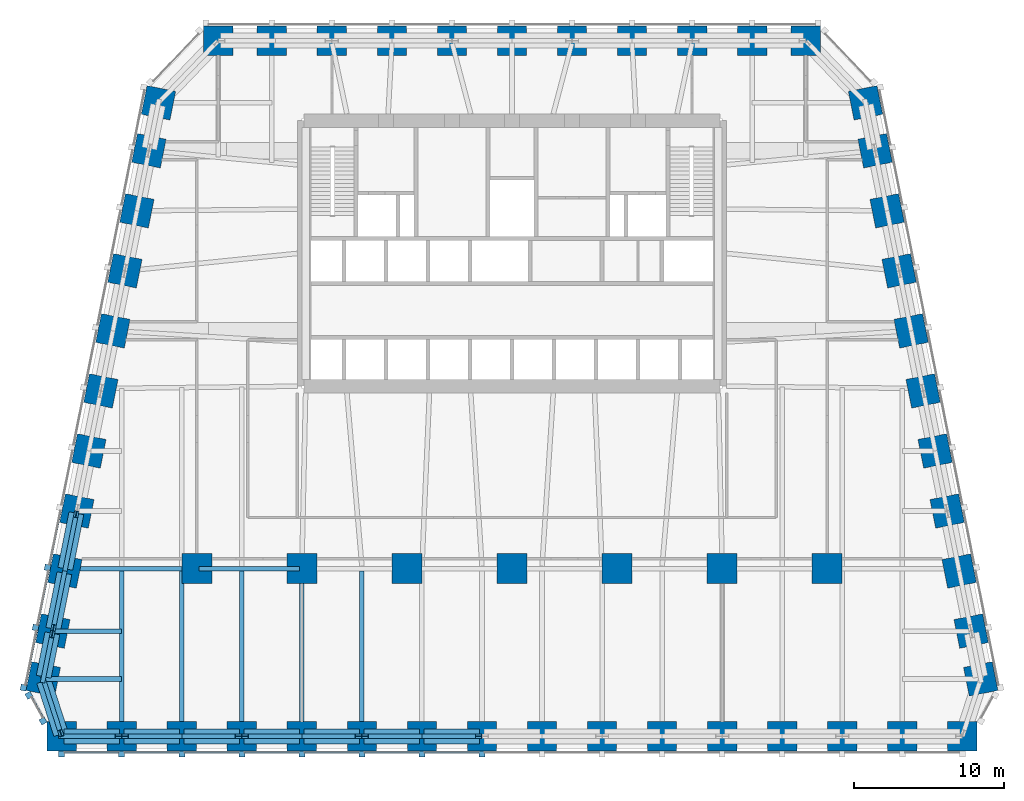
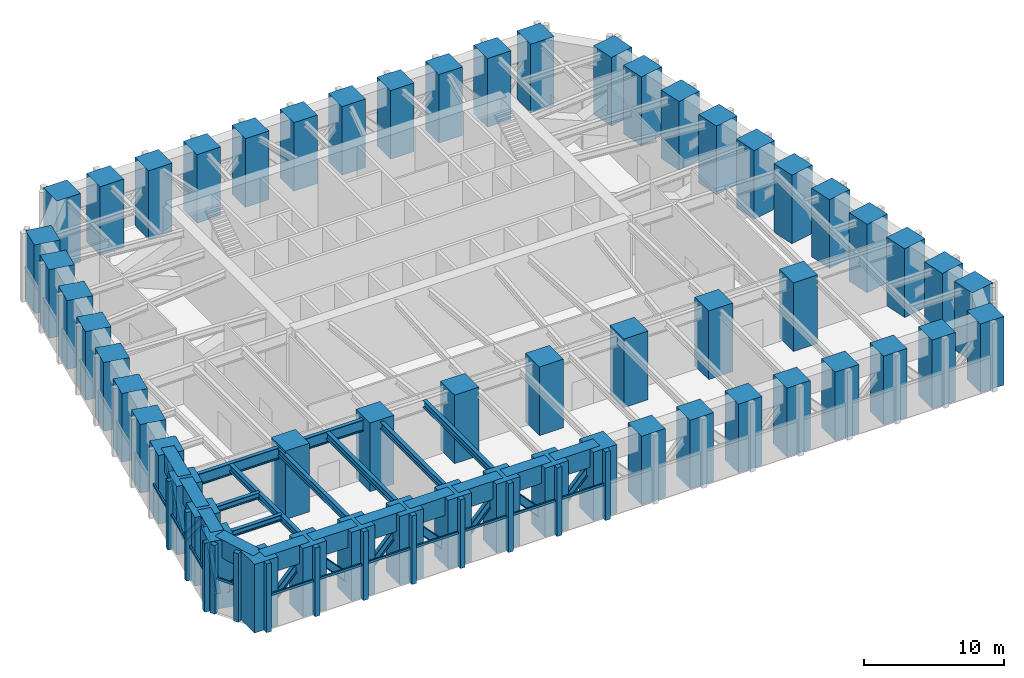
# One storey, part 1 of 9: 56 columns, 35 members, 20 beams, 3 elements without a shape of their own.
"""IFC4 building model written with IfcOpenShell, lengths in metres."""

from ifc_helpers import new_model, si_unit, direction, frame, origin, origin_2d, place, context, subcontext, project, spatial, rectangle, i_section, extrude, material, material_profile, profile_set, type_object, element, aggregate, save


model = new_model("IFC4")

# Units and contexts
model_context = context("Model", 3, precision=1e-05, world=origin(), true_north=direction((0.0, 1.0)))
body_context = subcontext(model_context, "Body", "Model", "MODEL_VIEW")
ifc_project = project(units=[si_unit("LENGTHUNIT", "METRE"), si_unit("AREAUNIT", "SQUARE_METRE"), si_unit("VOLUMEUNIT", "CUBIC_METRE"), si_unit("PLANEANGLEUNIT", "RADIAN"), si_unit("MASSUNIT", "GRAM", prefix="KILO")], contexts=[model_context])

# Site, building, storey
site_placement = place(None, origin())
site = spatial("IfcSite", under=ifc_project, at=site_placement, CompositionType="ELEMENT")
building_placement = place(site_placement, origin())
building = spatial("IfcBuilding", under=site, at=building_placement, Name="Isbrekke Arena Tower", CompositionType="ELEMENT")
storey_placement = place(building_placement, frame((0.0, 0.0, 92.0)))
storey = spatial("IfcBuildingStorey", under=building, at=storey_placement, Name="L20", CompositionType="ELEMENT", Elevation=92.0)

# Columns
ifc_material_1 = material(Name="Concrete B90 (C90/105)", Category="concrete")
ifc_material_profile_1 = material_profile(ifc_material_1, rectangle(XDim=2.0, YDim=2.0, at=origin_2d()), Name="RC 2000x2000")
ifc_profile_set_1 = profile_set([ifc_material_profile_1], Name="Concrete B90 (C90/105)")
column_type_1 = type_object("IfcColumnType", Name="C11 RC 2000 x 2000", PredefinedType="COLUMN", material=ifc_profile_set_1)
for number, where, z_axis, x_axis, name in (
    (1, (-21.0, -6.0, 0.0), (0.0, 0.0, 1.0), (1.0, 0.0, 0.0), "C11 I01"),
    (2, (-14.0, -6.0, 0.0), (0.0, 0.0, 1.0), (1.0, 0.0, 0.0), "C11 I02"),
    (3, (-7.0, -6.0, 0.0), (0.0, 0.0, 1.0), (1.0, 0.0, 0.0), "C11 I03"),
    (4, (0.0, -6.0, 0.0), (0.0, 0.0, 1.0), (1.0, 0.0, 0.0), "C11 I04"),
    (5, (7.0, -6.0, 0.0), (0.0, 0.0, 1.0), (1.0, 0.0, 0.0), "C11 I05"),
    (6, (14.0, -6.0, 0.0), (0.0, 0.0, 1.0), (1.0, 0.0, 0.0), "C11 I06"),
    (7, (21.0, -6.0, 0.0), (0.0, 0.0, 1.0), (1.0, 0.0, 0.0), "C11 I07"),
):
    element("IfcColumn", number, at=place(storey_placement, frame(where, z_axis=z_axis, x_axis=x_axis)), inside=storey, type_object=column_type_1, Name=name, PredefinedType="COLUMN", context=body_context, shape_type="SweptSolid", body=[
        extrude(rectangle(XDim=2.0, YDim=2.0, at=origin_2d()), origin(), (0.0, 0.0, 1.0), 6.0),
    ])
ifc_material_2 = material(Name="Concrete B90 (C90/105)", Category="concrete")
ifc_material_profile_2 = material_profile(ifc_material_2, rectangle(XDim=1.949951171875, YDim=1.949951171875, at=origin_2d()), Name="RC 1950x1950")
ifc_profile_set_2 = profile_set([ifc_material_profile_2], Name="Concrete B90 (C90/105)")
column_type_2 = type_object("IfcColumnType", Name="C2 RC 1950 x 1950", PredefinedType="COLUMN", material=ifc_profile_set_2)
for number, where, z_axis, x_axis, name in (
    (8, (-30.0, -17.175048828125, 0.0), (0.0, 0.0, 1.0), (1.0, 0.0, 0.0), "C2 S01"),
    (9, (-26.0, -17.175048828125, 0.0), (0.0, 0.0, 1.0), (1.0, 0.0, 0.0), "C2 S02"),
    (10, (-22.0, -17.175048828125, 0.0), (0.0, 0.0, 1.0), (1.0, 0.0, 0.0), "C2 S03"),
    (11, (-18.0, -17.175048828125, 0.0), (0.0, 0.0, 1.0), (1.0, 0.0, 0.0), "C2 S04"),
    (12, (-14.0, -17.175048828125, 0.0), (0.0, 0.0, 1.0), (1.0, 0.0, 0.0), "C2 S05"),
    (13, (-10.0, -17.175048828125, 0.0), (0.0, 0.0, 1.0), (1.0, 0.0, 0.0), "C2 S06"),
    (14, (-6.0, -17.175048828125, 0.0), (0.0, 0.0, 1.0), (1.0, 0.0, 0.0), "C2 S07"),
    (15, (-2.0, -17.175048828125, 0.0), (0.0, 0.0, 1.0), (1.0, 0.0, 0.0), "C2 S08"),
    (16, (2.0, -17.175048828125, 0.0), (0.0, 0.0, 1.0), (1.0, 0.0, 0.0), "C2 S09"),
    (17, (6.0, -17.175048828125, 0.0), (0.0, 0.0, 1.0), (1.0, 0.0, 0.0), "C2 S10"),
    (18, (10.0, -17.175048828125, 0.0), (0.0, 0.0, 1.0), (1.0, 0.0, 0.0), "C2 S11"),
    (19, (14.0, -17.175048828125, 0.0), (0.0, 0.0, 1.0), (1.0, 0.0, 0.0), "C2 S12"),
    (20, (18.0, -17.175048828125, 0.0), (0.0, 0.0, 1.0), (1.0, 0.0, 0.0), "C2 S13"),
    (21, (22.0, -17.175048828125, 0.0), (0.0, 0.0, 1.0), (1.0, 0.0, 0.0), "C2 S14"),
    (22, (26.0, -17.175048828125, 0.0), (0.0, 0.0, 1.0), (1.0, 0.0, 0.0), "C2 S15"),
    (23, (30.0, -17.175048828125, 0.0), (0.0, 0.0, 1.0), (1.0, 0.0, 0.0), "C2 S16"),
    (24, (31.229248046875, -13.352783203125, 0.0), (0.0, 0.0, 1.0), (-0.196116135138, 0.980580675691, 0.0), "C2 E01"),
    (25, (30.591064453125, -10.161865234375, 0.0), (0.0, 0.0, 1.0), (-0.196116135138, 0.980580675691, 0.0), "C2 E02"),
    (26, (29.791015625, -6.161865234375, 0.0), (0.0, 0.0, 1.0), (-0.196116135138, 0.980580675691, 0.0), "C2 E03"),
    (27, (28.990966796875, -2.161865234375, 0.0), (0.0, 0.0, 1.0), (-0.196116135138, 0.980580675691, 0.0), "C2 E04"),
    (28, (28.19091796875, 1.838134765625, 0.0), (0.0, 0.0, 1.0), (-0.196116135138, 0.980580675691, 0.0), "C2 E05"),
    (29, (27.39111328125, 5.838134765625, 0.0), (0.0, 0.0, 1.0), (-0.196116135138, 0.980580675691, 0.0), "C2 E06"),
    (30, (26.591064453125, 9.838134765625, 0.0), (0.0, 0.0, 1.0), (-0.196116135138, 0.980580675691, 0.0), "C2 E07"),
    (31, (25.791015625, 13.838134765625, 0.0), (0.0, 0.0, 1.0), (-0.196116135138, 0.980580675691, 0.0), "C2 E08"),
    (32, (24.990966796875, 17.838134765625, 0.0), (0.0, 0.0, 1.0), (-0.196116135138, 0.980580675691, 0.0), "C2 E09"),
    (33, (24.19091796875, 21.838134765625, 0.0), (0.0, 0.0, 1.0), (-0.196116135138, 0.980580675691, 0.0), "C2 E10"),
    (34, (23.552734375, 25.029296875, 0.0), (0.0, 0.0, 1.0), (-0.196116135138, 0.980580675691, 0.0), "C2 E11"),
    (35, (19.574951171875, 29.175048828125, 0.0), (0.0, 0.0, 1.0), (-1.0, 0.0, 0.0), "C2 N01"),
    (36, (16.0, 29.175048828125, 0.0), (0.0, 0.0, 1.0), (-1.0, 0.0, 0.0), "C2 N02"),
    (37, (12.0, 29.175048828125, 0.0), (0.0, 0.0, 1.0), (-1.0, 0.0, 0.0), "C2 N03"),
    (38, (8.0, 29.175048828125, 0.0), (0.0, 0.0, 1.0), (-1.0, 0.0, 0.0), "C2 N04"),
    (39, (4.0, 29.175048828125, 0.0), (0.0, 0.0, 1.0), (-1.0, 0.0, 0.0), "C2 N05"),
    (40, (0.0, 29.175048828125, 0.0), (0.0, 0.0, 1.0), (-1.0, 0.0, 0.0), "C2 N06"),
    (41, (-4.0, 29.175048828125, 0.0), (0.0, 0.0, 1.0), (-1.0, 0.0, 0.0), "C2 N07"),
    (42, (-8.0, 29.175048828125, 0.0), (0.0, 0.0, 1.0), (-1.0, 0.0, 0.0), "C2 N08"),
    (43, (-12.0, 29.175048828125, 0.0), (0.0, 0.0, 1.0), (-1.0, 0.0, 0.0), "C2 N09"),
    (44, (-16.0, 29.175048828125, 0.0), (0.0, 0.0, 1.0), (-1.0, 0.0, 0.0), "C2 N10"),
    (45, (-19.574951171875, 29.175048828125, 0.0), (0.0, 0.0, 1.0), (-1.0, 0.0, 0.0), "C2 N11"),
    (46, (-23.552734375, 25.029296875, 0.0), (0.0, 0.0, 1.0), (-0.196116135138, -0.980580675691, 0.0), "C2 W01"),
    (47, (-24.19091796875, 21.838134765625, 0.0), (0.0, 0.0, 1.0), (-0.196116135138, -0.980580675691, 0.0), "C2 W02"),
    (48, (-24.990966796875, 17.838134765625, 0.0), (0.0, 0.0, 1.0), (-0.196116135138, -0.980580675691, 0.0), "C2 W03"),
    (49, (-25.791015625, 13.838134765625, 0.0), (0.0, 0.0, 1.0), (-0.196116135138, -0.980580675691, 0.0), "C2 W04"),
    (50, (-26.591064453125, 9.838134765625, 0.0), (0.0, 0.0, 1.0), (-0.196116135138, -0.980580675691, 0.0), "C2 W05"),
    (51, (-27.39111328125, 5.838134765625, 0.0), (0.0, 0.0, 1.0), (-0.196116135138, -0.980580675691, 0.0), "C2 W06"),
    (52, (-28.19091796875, 1.838134765625, 0.0), (0.0, 0.0, 1.0), (-0.196116135138, -0.980580675691, 0.0), "C2 W07"),
    (53, (-28.990966796875, -2.161865234375, 0.0), (0.0, 0.0, 1.0), (-0.196116135138, -0.980580675691, 0.0), "C2 W08"),
    (54, (-29.791015625, -6.161865234375, 0.0), (0.0, 0.0, 1.0), (-0.196116135138, -0.980580675691, 0.0), "C2 W09"),
    (55, (-30.591064453125, -10.161865234375, 0.0), (0.0, 0.0, 1.0), (-0.196116135138, -0.980580675691, 0.0), "C2 W10"),
    (56, (-31.229248046875, -13.352783203125, 0.0), (0.0, 0.0, 1.0), (-0.196116135138, -0.980580675691, 0.0), "C2 W11"),
):
    element("IfcColumn", number, at=place(storey_placement, frame(where, z_axis=z_axis, x_axis=x_axis)), inside=storey, type_object=column_type_2, Name=name, PredefinedType="COLUMN", context=body_context, shape_type="SweptSolid", body=[
        extrude(rectangle(XDim=1.949951171875, YDim=1.949951171875, at=origin_2d()), origin(), (0.0, 0.0, 1.0), 6.0),
    ])

# Beams
ifc_material_3 = material(Name="Steel S355", Category="steel")
ifc_material_profile_3 = material_profile(ifc_material_3, i_section(OverallWidth=0.304931640625, OverallDepth=0.6201171875, WebThickness=0.02099609375, FlangeThickness=0.0400390625, FilletRadius=0.027099609375, at=origin_2d()), Name="HEM 600")
ifc_profile_set_3 = profile_set([ifc_material_profile_3], Name="Steel S355")
beam_type_1 = type_object("IfcBeamType", Name="B4 HEM 600", PredefinedType="BEAM", material=ifc_profile_set_3)
for number, where, z_axis, x_axis, name in (
    (57, (-26.0, -17.02490234375, 5.489990234375), (0.0, 1.0, 0.0), (-1.0, 0.0, 0.0), "B4 beam S-S02 L20"),
    (58, (-22.0, -17.02490234375, 5.489990234375), (0.0, 1.0, 0.0), (-1.0, 0.0, 0.0), "B4 beam S-S03 L20"),
    (59, (-18.0, -17.02490234375, 5.489990234375), (0.0, 1.0, 0.0), (-1.0, 0.0, 0.0), "B4 beam S-S04 L20"),
):
    element("IfcBeam", number, at=place(storey_placement, frame(where, z_axis=z_axis, x_axis=x_axis)), inside=storey, type_object=beam_type_1, Name=name, PredefinedType="BEAM", context=body_context, shape_type="SweptSolid", body=[
        extrude(i_section(OverallWidth=0.304931640625, OverallDepth=0.6201171875, WebThickness=0.02099609375, FlangeThickness=0.0400390625, FilletRadius=0.027099609375, at=origin_2d()), origin(), (0.0, 0.0, 1.0), 10.8740234375),
    ])
beam_1_placement = place(storey_placement, frame((-14.0, -17.02490234375, 5.489990234375), z_axis=(0.0, 1.0, 0.0), x_axis=(-1.0, 0.0, 0.0)))
element("IfcBeam", 60, at=beam_1_placement, inside=storey, type_object=beam_type_1, Name="B4 beam S-S05 L20", PredefinedType="BEAM", context=body_context, shape_type="SweptSolid", body=[
    extrude(i_section(OverallWidth=0.304931640625, OverallDepth=0.6201171875, WebThickness=0.02099609375, FlangeThickness=0.0400390625, FilletRadius=0.027099609375, at=origin_2d()), origin(), (0.0, 0.0, 1.0), 10.875),
])
beam_2_placement = place(storey_placement, frame((-10.0, -17.02490234375, 5.489990234375), z_axis=(0.0, 1.0, 0.0), x_axis=(-1.0, 0.0, 0.0)))
element("IfcBeam", 61, at=beam_2_placement, inside=storey, type_object=beam_type_1, Name="B4 beam S-S06 L20", PredefinedType="BEAM", context=body_context, shape_type="SweptSolid", body=[
    extrude(i_section(OverallWidth=0.304931640625, OverallDepth=0.6201171875, WebThickness=0.02099609375, FlangeThickness=0.0400390625, FilletRadius=0.027099609375, at=origin_2d()), origin(), (0.0, 0.0, 1.0), 10.8740234375),
])
ifc_material_4 = material(Name="Steel S355", Category="steel")
ifc_material_profile_4 = material_profile(ifc_material_4, i_section(OverallWidth=0.305908203125, OverallDepth=0.52392578125, WebThickness=0.02099609375, FlangeThickness=0.0400390625, FilletRadius=0.027099609375, at=origin_2d()), Name="HEM 500")
ifc_profile_set_4 = profile_set([ifc_material_profile_4], Name="Steel S355")
beam_type_2 = type_object("IfcBeamType", Name="B5 HEM 500", PredefinedType="BEAM", material=ifc_profile_set_4)
beam_3_placement = place(storey_placement, frame((-30.44091796875, -10.161865234375, 5.5380859375), z_axis=(1.0, 0.0, 0.0), x_axis=(0.0, 1.0, 0.0)))
element("IfcBeam", 62, at=beam_3_placement, inside=storey, type_object=beam_type_2, Name="B5 beam E-W10 L20", PredefinedType="BEAM", context=body_context, shape_type="SweptSolid", body=[
    extrude(i_section(OverallWidth=0.305908203125, OverallDepth=0.52392578125, WebThickness=0.02099609375, FlangeThickness=0.0400390625, FilletRadius=0.027099609375, at=origin_2d()), origin(), (0.0, 0.0, 1.0), 4.44091796875),
])
beam_4_placement = place(storey_placement, frame((-31.079345703125, -13.352783203125, 5.5380859375), z_axis=(1.0, 0.0, 0.0), x_axis=(0.0, 1.0, 0.0)))
element("IfcBeam", 63, at=beam_4_placement, inside=storey, type_object=beam_type_2, Name="B5 beam E-W11 L20", PredefinedType="BEAM", context=body_context, shape_type="SweptSolid", body=[
    extrude(i_section(OverallWidth=0.305908203125, OverallDepth=0.52392578125, WebThickness=0.02099609375, FlangeThickness=0.0400390625, FilletRadius=0.027099609375, at=origin_2d()), origin(), (0.0, 0.0, 1.0), 5.079345703125),
])

# Members
ifc_material_5 = material(Name="Steel S355", Category="steel")
ifc_material_profile_5 = material_profile(ifc_material_5, i_section(OverallWidth=0.304931640625, OverallDepth=0.6201171875, WebThickness=0.02099609375, FlangeThickness=0.0400390625, FilletRadius=0.027099609375, at=origin_2d()), Name="HEM 600")
ifc_profile_set_5 = profile_set([ifc_material_profile_5], Name="Steel S355")
member_type_1 = type_object("IfcMemberType", Name="BT1 HEM 600", PredefinedType="BRACE", material=ifc_profile_set_5)
for number, where, z_axis, x_axis, name in (
    (64, (-30.0, -17.175048828125, 0.60009765625), (0.681122032107, 0.0, 0.732169910183), (0.0, 1.0, 0.0), "BT1 belt truss diagonal S01 L20"),
    (65, (-25.781982421875, -17.175048828125, 4.66552734375), (0.681122032107, 0.0, -0.732169910183), (0.0, 1.0, 0.0), "BT1 belt truss diagonal S02 L20"),
    (66, (-22.0, -17.175048828125, 0.60009765625), (0.681122032107, 0.0, 0.732169910183), (0.0, 1.0, 0.0), "BT1 belt truss diagonal S03 L20"),
    (67, (-17.781982421875, -17.175048828125, 4.66552734375), (0.681122032107, 0.0, -0.732169910183), (0.0, 1.0, 0.0), "BT1 belt truss diagonal S04 L20"),
    (68, (-14.0, -17.175048828125, 0.60009765625), (0.681122032107, 0.0, 0.732169910183), (0.0, 1.0, 0.0), "BT1 belt truss diagonal S05 L20"),
    (69, (-9.781982421875, -17.175048828125, 4.66552734375), (0.681122032107, 0.0, -0.732169910183), (0.0, 1.0, 0.0), "BT1 belt truss diagonal S06 L20"),
    (70, (-6.0, -17.175048828125, 0.60009765625), (0.681122032107, 0.0, 0.732169910183), (0.0, 1.0, 0.0), "BT1 belt truss diagonal S07 L20"),
):
    element("IfcMember", number, at=place(storey_placement, frame(where, z_axis=z_axis, x_axis=x_axis)), inside=storey, type_object=member_type_1, Name=name, PredefinedType="BRACE", context=body_context, shape_type="SweptSolid", body=[
        extrude(i_section(OverallWidth=0.304931640625, OverallDepth=0.6201171875, WebThickness=0.02099609375, FlangeThickness=0.0400390625, FilletRadius=0.027099609375, at=origin_2d()), origin(), (0.0, 0.0, 1.0), 5.552490234375),
    ])
for number, where, z_axis, x_axis, name in (
    (71, (-29.033935546875, -2.37646484375, 4.66943359375), (-0.134973713861, -0.674868569303, -0.725489152734), (0.980580675691, -0.196116135138, 0.0), "BT1 belt truss diagonal W08 L20"),
    (72, (-29.791015625, -6.161865234375, 0.60009765625), (-0.134973713861, -0.674868569303, 0.725489152734), (0.980580675691, -0.196116135138, 0.0), "BT1 belt truss diagonal W09 L20"),
):
    element("IfcMember", number, at=place(storey_placement, frame(where, z_axis=z_axis, x_axis=x_axis)), inside=storey, type_object=member_type_1, Name=name, PredefinedType="BRACE", context=body_context, shape_type="SweptSolid", body=[
        extrude(i_section(OverallWidth=0.304931640625, OverallDepth=0.6201171875, WebThickness=0.02099609375, FlangeThickness=0.0400390625, FilletRadius=0.027099609375, at=origin_2d()), origin(), (0.0, 0.0, 1.0), 5.609130859375),
    ])
member_1_placement = place(storey_placement, frame((-30.63232421875, -10.3681640625, 4.6220703125), z_axis=(-0.118346606157, -0.591733030783, -0.79739958684), x_axis=(0.980580675691, -0.196116135138, 0.0)))
element("IfcMember", 73, at=member_1_placement, inside=storey, type_object=member_type_1, Name="BT1 belt truss diagonal W10 L20", PredefinedType="BRACE", context=body_context, shape_type="SweptSolid", body=[
    extrude(i_section(OverallWidth=0.304931640625, OverallDepth=0.6201171875, WebThickness=0.02099609375, FlangeThickness=0.0400390625, FilletRadius=0.027099609375, at=origin_2d()), origin(), (0.0, 0.0, 1.0), 5.0439453125),
])
member_2_placement = place(storey_placement, frame((-31.229248046875, -13.352783203125, 0.60009765625), z_axis=(0.208935562442, -0.649714556176, 0.730901447694), x_axis=(0.951986403059, 0.306140308339, 0.0)))
element("IfcMember", 74, at=member_2_placement, inside=storey, type_object=member_type_1, Name="BT1 belt truss diagonal W11 L20", PredefinedType="BRACE", context=body_context, shape_type="SweptSolid", body=[
    extrude(i_section(OverallWidth=0.304931640625, OverallDepth=0.6201171875, WebThickness=0.02099609375, FlangeThickness=0.0400390625, FilletRadius=0.027099609375, at=origin_2d()), origin(), (0.0, 0.0, 1.0), 5.563232421875),
])

# Curtain wall, members
ifc_material_6 = material(Name="Glazed aluminium curtain wall", Category="aluminium")
curtain_wall_type = type_object("IfcCurtainWallType", Name="CWR PLANT LOUVRE WALL", PredefinedType="USERDEFINED", material=ifc_material_6)
curtain_wall_1_placement = place(storey_placement, origin())
curtain_wall_1 = element("IfcCurtainWall", 75, at=curtain_wall_1_placement, inside=storey, type_object=curtain_wall_type, Name="CWR curtain wall L20-S", ObjectType="PLANT LOUVRE WALL", PredefinedType="USERDEFINED")
ifc_material_7 = material(Name="Aluminium mullion, pale brick slip cladding", Category="masonry")
ifc_material_profile_6 = material_profile(ifc_material_7, rectangle(XDim=0.39990234375, YDim=0.39990234375, at=origin_2d()), Name="PIER 400X400")
ifc_profile_set_6 = profile_set([ifc_material_profile_6], Name="Aluminium mullion, pale brick slip cladding")
member_type_2 = type_object("IfcMemberType", Name="CWR-M PIER MULLION 400 x 400", PredefinedType="MULLION", material=ifc_profile_set_6)
member_3_placement = place(storey_placement, frame((-30.0, -18.35009765625, 0.0), z_axis=(0.0, 0.0, 1.0), x_axis=(1.0, 0.0, 0.0)))
member_3 = element("IfcMember", 76, at=member_3_placement, type_object=member_type_2, Name="CWR-M mullion 1", PredefinedType="MULLION", context=body_context, shape_type="SweptSolid", body=[
    extrude(rectangle(XDim=0.39990234375, YDim=0.39990234375, at=origin_2d()), origin(), (0.0, 0.0, 1.0), 6.0),
])
member_4_placement = place(storey_placement, frame((-26.0, -18.35009765625, 0.0), z_axis=(0.0, 0.0, 1.0), x_axis=(1.0, 0.0, 0.0)))
member_4 = element("IfcMember", 77, at=member_4_placement, type_object=member_type_2, Name="CWR-M mullion 2", PredefinedType="MULLION", context=body_context, shape_type="SweptSolid", body=[
    extrude(rectangle(XDim=0.39990234375, YDim=0.39990234375, at=origin_2d()), origin(), (0.0, 0.0, 1.0), 6.0),
])
member_5_placement = place(storey_placement, frame((-22.0, -18.35009765625, 0.0), z_axis=(0.0, 0.0, 1.0), x_axis=(1.0, 0.0, 0.0)))
member_5 = element("IfcMember", 78, at=member_5_placement, type_object=member_type_2, Name="CWR-M mullion 3", PredefinedType="MULLION", context=body_context, shape_type="SweptSolid", body=[
    extrude(rectangle(XDim=0.39990234375, YDim=0.39990234375, at=origin_2d()), origin(), (0.0, 0.0, 1.0), 6.0),
])
member_6_placement = place(storey_placement, frame((-18.0, -18.35009765625, 0.0), z_axis=(0.0, 0.0, 1.0), x_axis=(1.0, 0.0, 0.0)))
member_6 = element("IfcMember", 79, at=member_6_placement, type_object=member_type_2, Name="CWR-M mullion 4", PredefinedType="MULLION", context=body_context, shape_type="SweptSolid", body=[
    extrude(rectangle(XDim=0.39990234375, YDim=0.39990234375, at=origin_2d()), origin(), (0.0, 0.0, 1.0), 6.0),
])
member_7_placement = place(storey_placement, frame((-14.0, -18.35009765625, 0.0), z_axis=(0.0, 0.0, 1.0), x_axis=(1.0, 0.0, 0.0)))
member_7 = element("IfcMember", 80, at=member_7_placement, type_object=member_type_2, Name="CWR-M mullion 5", PredefinedType="MULLION", context=body_context, shape_type="SweptSolid", body=[
    extrude(rectangle(XDim=0.39990234375, YDim=0.39990234375, at=origin_2d()), origin(), (0.0, 0.0, 1.0), 6.0),
])
member_8_placement = place(storey_placement, frame((-10.0, -18.35009765625, 0.0), z_axis=(0.0, 0.0, 1.0), x_axis=(1.0, 0.0, 0.0)))
member_8 = element("IfcMember", 81, at=member_8_placement, type_object=member_type_2, Name="CWR-M mullion 6", PredefinedType="MULLION", context=body_context, shape_type="SweptSolid", body=[
    extrude(rectangle(XDim=0.39990234375, YDim=0.39990234375, at=origin_2d()), origin(), (0.0, 0.0, 1.0), 6.0),
])
member_9_placement = place(storey_placement, frame((-6.0, -18.35009765625, 0.0), z_axis=(0.0, 0.0, 1.0), x_axis=(1.0, 0.0, 0.0)))
member_9 = element("IfcMember", 82, at=member_9_placement, type_object=member_type_2, Name="CWR-M mullion 7", PredefinedType="MULLION", context=body_context, shape_type="SweptSolid", body=[
    extrude(rectangle(XDim=0.39990234375, YDim=0.39990234375, at=origin_2d()), origin(), (0.0, 0.0, 1.0), 6.0),
])
member_10_placement = place(storey_placement, frame((-2.0, -18.35009765625, 0.0), z_axis=(0.0, 0.0, 1.0), x_axis=(1.0, 0.0, 0.0)))
member_10 = element("IfcMember", 83, at=member_10_placement, type_object=member_type_2, Name="CWR-M mullion 8", PredefinedType="MULLION", context=body_context, shape_type="SweptSolid", body=[
    extrude(rectangle(XDim=0.39990234375, YDim=0.39990234375, at=origin_2d()), origin(), (0.0, 0.0, 1.0), 6.0),
])

curtain_wall_2_placement = place(storey_placement, origin())
curtain_wall_2 = element("IfcCurtainWall", 84, at=curtain_wall_2_placement, inside=storey, type_object=curtain_wall_type, Name="CWR curtain wall L20-W", ObjectType="PLANT LOUVRE WALL", PredefinedType="USERDEFINED")
member_11_placement = place(storey_placement, frame((-30.943115234375, -5.931396484375, 0.0), z_axis=(0.0, 0.0, 1.0), x_axis=(-0.196116135138, -0.980580675691, 0.0)))
member_11 = element("IfcMember", 85, at=member_11_placement, type_object=member_type_2, Name="CWR-M mullion 9", PredefinedType="MULLION", context=body_context, shape_type="SweptSolid", body=[
    extrude(rectangle(XDim=0.39990234375, YDim=0.39990234375, at=origin_2d()), origin(), (0.0, 0.0, 1.0), 6.0),
])
member_12_placement = place(storey_placement, frame((-31.7431640625, -9.931396484375, 0.0), z_axis=(0.0, 0.0, 1.0), x_axis=(-0.196116135138, -0.980580675691, 0.0)))
member_12 = element("IfcMember", 86, at=member_12_placement, type_object=member_type_2, Name="CWR-M mullion 10", PredefinedType="MULLION", context=body_context, shape_type="SweptSolid", body=[
    extrude(rectangle(XDim=0.39990234375, YDim=0.39990234375, at=origin_2d()), origin(), (0.0, 0.0, 1.0), 6.0),
])
member_13_placement = place(storey_placement, frame((-32.543212890625, -13.931396484375, 0.0), z_axis=(0.0, 0.0, 1.0), x_axis=(-0.196116135138, -0.980580675691, 0.0)))
member_13 = element("IfcMember", 87, at=member_13_placement, type_object=member_type_2, Name="CWR-M mullion 11", PredefinedType="MULLION", context=body_context, shape_type="SweptSolid", body=[
    extrude(rectangle(XDim=0.39990234375, YDim=0.39990234375, at=origin_2d()), origin(), (0.0, 0.0, 1.0), 6.0),
])

curtain_wall_3_placement = place(storey_placement, origin())
curtain_wall_3 = element("IfcCurtainWall", 88, at=curtain_wall_3_placement, inside=storey, type_object=curtain_wall_type, Name="CWR curtain wall L20-WS", ObjectType="PLANT LOUVRE WALL", PredefinedType="USERDEFINED")
member_14_placement = place(storey_placement, frame((-32.18603515625, -14.440673828125, 0.0), z_axis=(0.0, 0.0, 1.0), x_axis=(0.481918749773, -0.876215908676, 0.0)))
member_14 = element("IfcMember", 89, at=member_14_placement, type_object=member_type_2, Name="CWR-M mullion 1", PredefinedType="MULLION", context=body_context, shape_type="SweptSolid", body=[
    extrude(rectangle(XDim=0.39990234375, YDim=0.39990234375, at=origin_2d()), origin(), (0.0, 0.0, 1.0), 6.0),
])
member_15_placement = place(storey_placement, frame((-31.24365234375, -16.15380859375, 0.0), z_axis=(0.0, 0.0, 1.0), x_axis=(0.481918749773, -0.876215908676, 0.0)))
member_15 = element("IfcMember", 90, at=member_15_placement, type_object=member_type_2, Name="CWR-M mullion 2", PredefinedType="MULLION", context=body_context, shape_type="SweptSolid", body=[
    extrude(rectangle(XDim=0.39990234375, YDim=0.39990234375, at=origin_2d()), origin(), (0.0, 0.0, 1.0), 6.0),
])

# Member
ifc_material_8 = material(Name="Aluminium transom", Category="aluminium")
ifc_material_profile_7 = material_profile(ifc_material_8, rectangle(XDim=0.1201171875, YDim=0.199951171875, at=origin_2d()), Name="TRANSOM 120X200")
ifc_profile_set_7 = profile_set([ifc_material_profile_7], Name="Aluminium transom")
member_type_3 = type_object("IfcMemberType", Name="CWR-T TRANSOM 120 x 200", PredefinedType="USERDEFINED", material=ifc_profile_set_7)
member_16_placement = place(storey_placement, frame((-29.800048828125, -18.25, 3.0), z_axis=(1.0, 0.0, 0.0), x_axis=(0.0, 1.0, 0.0)))
member_16 = element("IfcMember", 91, at=member_16_placement, type_object=member_type_3, Name="CWR-T transom 1", ObjectType="TRANSOM", PredefinedType="USERDEFINED", context=body_context, shape_type="SweptSolid", body=[
    extrude(rectangle(XDim=0.1201171875, YDim=0.199951171875, at=origin_2d()), origin(), (0.0, 0.0, 1.0), 3.60009765625),
])

member_17_placement = place(storey_placement, frame((-25.800048828125, -18.25, 3.0), z_axis=(1.0, 0.0, 0.0), x_axis=(0.0, 1.0, 0.0)))
member_17 = element("IfcMember", 92, at=member_17_placement, type_object=member_type_3, Name="CWR-T transom 2", ObjectType="TRANSOM", PredefinedType="USERDEFINED", context=body_context, shape_type="SweptSolid", body=[
    extrude(rectangle(XDim=0.1201171875, YDim=0.199951171875, at=origin_2d()), origin(), (0.0, 0.0, 1.0), 3.60009765625),
])

member_18_placement = place(storey_placement, frame((-21.800048828125, -18.25, 3.0), z_axis=(1.0, 0.0, 0.0), x_axis=(0.0, 1.0, 0.0)))
member_18 = element("IfcMember", 93, at=member_18_placement, type_object=member_type_3, Name="CWR-T transom 3", ObjectType="TRANSOM", PredefinedType="USERDEFINED", context=body_context, shape_type="SweptSolid", body=[
    extrude(rectangle(XDim=0.1201171875, YDim=0.199951171875, at=origin_2d()), origin(), (0.0, 0.0, 1.0), 3.60009765625),
])

member_19_placement = place(storey_placement, frame((-17.800048828125, -18.25, 3.0), z_axis=(1.0, 0.0, 0.0), x_axis=(0.0, 1.0, 0.0)))
member_19 = element("IfcMember", 94, at=member_19_placement, type_object=member_type_3, Name="CWR-T transom 4", ObjectType="TRANSOM", PredefinedType="USERDEFINED", context=body_context, shape_type="SweptSolid", body=[
    extrude(rectangle(XDim=0.1201171875, YDim=0.199951171875, at=origin_2d()), origin(), (0.0, 0.0, 1.0), 3.60009765625),
])

member_20_placement = place(storey_placement, frame((-13.800048828125, -18.25, 3.0), z_axis=(1.0, 0.0, 0.0), x_axis=(0.0, 1.0, 0.0)))
member_20 = element("IfcMember", 95, at=member_20_placement, type_object=member_type_3, Name="CWR-T transom 5", ObjectType="TRANSOM", PredefinedType="USERDEFINED", context=body_context, shape_type="SweptSolid", body=[
    extrude(rectangle(XDim=0.1201171875, YDim=0.199951171875, at=origin_2d()), origin(), (0.0, 0.0, 1.0), 3.60009765625),
])

member_21_placement = place(storey_placement, frame((-9.800048828125, -18.25, 3.0), z_axis=(1.0, 0.0, 0.0), x_axis=(0.0, 1.0, 0.0)))
member_21 = element("IfcMember", 96, at=member_21_placement, type_object=member_type_3, Name="CWR-T transom 6", ObjectType="TRANSOM", PredefinedType="USERDEFINED", context=body_context, shape_type="SweptSolid", body=[
    extrude(rectangle(XDim=0.1201171875, YDim=0.199951171875, at=origin_2d()), origin(), (0.0, 0.0, 1.0), 3.60009765625),
])

member_22_placement = place(storey_placement, frame((-5.800048828125, -18.25, 3.0), z_axis=(1.0, 0.0, 0.0), x_axis=(0.0, 1.0, 0.0)))
member_22 = element("IfcMember", 97, at=member_22_placement, type_object=member_type_3, Name="CWR-T transom 7", ObjectType="TRANSOM", PredefinedType="USERDEFINED", context=body_context, shape_type="SweptSolid", body=[
    extrude(rectangle(XDim=0.1201171875, YDim=0.199951171875, at=origin_2d()), origin(), (0.0, 0.0, 1.0), 3.60009765625),
])

aggregate(curtain_wall_1, [member_3, member_4, member_5, member_6, member_7, member_8, member_9, member_10, member_16, member_17, member_18, member_19, member_20, member_21, member_22])

member_23_placement = place(storey_placement, frame((-30.08447265625, -2.14697265625, 3.0), z_axis=(-0.196077853487, -0.980588331244, 0.0), x_axis=(0.980588331244, -0.196077853487, 0.0)))
member_23 = element("IfcMember", 98, at=member_23_placement, type_object=member_type_3, Name="CWR-T transom 8", ObjectType="TRANSOM", PredefinedType="USERDEFINED", context=body_context, shape_type="SweptSolid", body=[
    extrude(rectangle(XDim=0.1201171875, YDim=0.199951171875, at=origin_2d()), origin(), (0.0, 0.0, 1.0), 3.679443359375),
])

member_24_placement = place(storey_placement, frame((-30.88427734375, -6.14697265625, 3.0), z_axis=(-0.196141655741, -0.980575571225, 0.0), x_axis=(0.980575571225, -0.196141655741, 0.0)))
member_24 = element("IfcMember", 99, at=member_24_placement, type_object=member_type_3, Name="CWR-T transom 9", ObjectType="TRANSOM", PredefinedType="USERDEFINED", context=body_context, shape_type="SweptSolid", body=[
    extrude(rectangle(XDim=0.1201171875, YDim=0.199951171875, at=origin_2d()), origin(), (0.0, 0.0, 1.0), 3.679443359375),
])

member_25_placement = place(storey_placement, frame((-31.684326171875, -10.14697265625, 3.0), z_axis=(-0.196141655741, -0.980575571225, 0.0), x_axis=(0.980575571225, -0.196141655741, 0.0)))
member_25 = element("IfcMember", 100, at=member_25_placement, type_object=member_type_3, Name="CWR-T transom 10", ObjectType="TRANSOM", PredefinedType="USERDEFINED", context=body_context, shape_type="SweptSolid", body=[
    extrude(rectangle(XDim=0.1201171875, YDim=0.199951171875, at=origin_2d()), origin(), (0.0, 0.0, 1.0), 3.679443359375),
])

aggregate(curtain_wall_2, [member_11, member_12, member_13, member_23, member_24, member_25])

member_26_placement = place(storey_placement, frame((-32.001953125, -14.567626953125, 3.0), z_axis=(0.481906698067, -0.876222537007, 0.0), x_axis=(0.876222537007, 0.481906698067, 0.0)))
member_26 = element("IfcMember", 101, at=member_26_placement, type_object=member_type_3, Name="CWR-T transom 1", ObjectType="TRANSOM", PredefinedType="USERDEFINED", context=body_context, shape_type="SweptSolid", body=[
    extrude(rectangle(XDim=0.1201171875, YDim=0.199951171875, at=origin_2d()), origin(), (0.0, 0.0, 1.0), 1.555419921875),
])

aggregate(curtain_wall_3, [member_14, member_15, member_26])

# Beams
ifc_material_9 = material(Name="Steel S355", Category="steel")
ifc_material_profile_8 = material_profile(ifc_material_9, i_section(OverallWidth=0.302001953125, OverallDepth=1.008056640625, WebThickness=0.02099609375, FlangeThickness=0.0400390625, FilletRadius=0.030029296875, at=origin_2d()), Name="HEM 1000")
ifc_profile_set_8 = profile_set([ifc_material_profile_8], Name="Steel S355")
beam_type_3 = type_object("IfcBeamType", Name="G1 HEM 1000", PredefinedType="BEAM", material=ifc_profile_set_8)
beam_5_placement = place(storey_placement, frame((-29.791015625, -6.0, 5.2958984375), z_axis=(1.0, 0.0, 0.0), x_axis=(0.0, 1.0, 0.0)))
element("IfcBeam", 102, at=beam_5_placement, inside=storey, type_object=beam_type_3, Name="G1 beam G1-01 L20", PredefinedType="BEAM", context=body_context, shape_type="SweptSolid", body=[
    extrude(i_section(OverallWidth=0.302001953125, OverallDepth=1.008056640625, WebThickness=0.02099609375, FlangeThickness=0.0400390625, FilletRadius=0.030029296875, at=origin_2d()), origin(), (0.0, 0.0, 1.0), 8.64111328125),
])
beam_6_placement = place(storey_placement, frame((-20.85009765625, -6.0, 5.2958984375), z_axis=(1.0, 0.0, 0.0), x_axis=(0.0, 1.0, 0.0)))
element("IfcBeam", 103, at=beam_6_placement, inside=storey, type_object=beam_type_3, Name="G1 beam G1-02 L20", PredefinedType="BEAM", context=body_context, shape_type="SweptSolid", body=[
    extrude(i_section(OverallWidth=0.302001953125, OverallDepth=1.008056640625, WebThickness=0.02099609375, FlangeThickness=0.0400390625, FilletRadius=0.030029296875, at=origin_2d()), origin(), (0.0, 0.0, 1.0), 6.7001953125),
])
ifc_material_10 = material(Name="Concrete B90 (C90/105)", Category="concrete")
ifc_material_profile_9 = material_profile(ifc_material_10, rectangle(XDim=1.0, YDim=1.60009765625, at=origin_2d()), Name="RC 1000x1600")
ifc_profile_set_9 = profile_set([ifc_material_profile_9], Name="Concrete B90 (C90/105)")
beam_type_4 = type_object("IfcBeamType", Name="SB1 RC 1000 x 1600", PredefinedType="SPANDREL", material=ifc_profile_set_9)
for number, where, z_axis, x_axis, name in (
    (104, (-29.85009765625, -17.175048828125, 5.199951171875), (1.0, 0.0, 0.0), (0.0, 1.0, 0.0), "SB1 spandrel S01-S02 L20"),
    (105, (-25.85009765625, -17.175048828125, 5.199951171875), (1.0, 0.0, 0.0), (0.0, 1.0, 0.0), "SB1 spandrel S02-S03 L20"),
    (106, (-21.85009765625, -17.175048828125, 5.199951171875), (1.0, 0.0, 0.0), (0.0, 1.0, 0.0), "SB1 spandrel S03-S04 L20"),
    (107, (-17.85009765625, -17.175048828125, 5.199951171875), (1.0, 0.0, 0.0), (0.0, 1.0, 0.0), "SB1 spandrel S04-S05 L20"),
    (108, (-13.85009765625, -17.175048828125, 5.199951171875), (1.0, 0.0, 0.0), (0.0, 1.0, 0.0), "SB1 spandrel S05-S06 L20"),
    (109, (-9.85009765625, -17.175048828125, 5.199951171875), (1.0, 0.0, 0.0), (0.0, 1.0, 0.0), "SB1 spandrel S06-S07 L20"),
    (110, (-5.85009765625, -17.175048828125, 5.199951171875), (1.0, 0.0, 0.0), (0.0, 1.0, 0.0), "SB1 spandrel S07-S08 L20"),
):
    element("IfcBeam", number, at=place(storey_placement, frame(where, z_axis=z_axis, x_axis=x_axis)), inside=storey, type_object=beam_type_4, Name=name, PredefinedType="SPANDREL", context=body_context, shape_type="SweptSolid", body=[
        extrude(rectangle(XDim=1.0, YDim=1.60009765625, at=origin_2d()), origin(), (0.0, 0.0, 1.0), 3.7001953125),
    ])
beam_7_placement = place(storey_placement, frame((-29.0205078125, -2.308837890625, 5.199951171875), z_axis=(-0.196128558387, -0.980578190959, 0.0), x_axis=(0.980578190959, -0.196128558387, 0.0)))
element("IfcBeam", 111, at=beam_7_placement, inside=storey, type_object=beam_type_4, Name="SB1 spandrel W08-W09 L20", PredefinedType="SPANDREL", context=body_context, shape_type="SweptSolid", body=[
    extrude(rectangle(XDim=1.0, YDim=1.60009765625, at=origin_2d()), origin(), (0.0, 0.0, 1.0), 3.779296875),
])
beam_8_placement = place(storey_placement, frame((-29.820556640625, -6.308837890625, 5.199951171875), z_axis=(-0.1960664412, -0.980590613169, 0.0), x_axis=(0.980590613169, -0.1960664412, 0.0)))
element("IfcBeam", 112, at=beam_8_placement, inside=storey, type_object=beam_type_4, Name="SB1 spandrel W09-W10 L20", PredefinedType="SPANDREL", context=body_context, shape_type="SweptSolid", body=[
    extrude(rectangle(XDim=1.0, YDim=1.60009765625, at=origin_2d()), origin(), (0.0, 0.0, 1.0), 3.779052734375),
])
beam_9_placement = place(storey_placement, frame((-30.620361328125, -10.308837890625, 5.199951171875), z_axis=(-0.196100243168, -0.980583853951, 0.0), x_axis=(0.980583853951, -0.196100243168, 0.0)))
element("IfcBeam", 113, at=beam_9_placement, inside=storey, type_object=beam_type_4, Name="SB1 spandrel W10-W11 L20", PredefinedType="SPANDREL", context=body_context, shape_type="SweptSolid", body=[
    extrude(rectangle(XDim=1.0, YDim=1.60009765625, at=origin_2d()), origin(), (0.0, 0.0, 1.0), 2.954345703125),
])
beam_10_placement = place(storey_placement, frame((-31.183349609375, -13.49560546875, 5.199951171875), z_axis=(0.306175101476, -0.951975213562, 0.0), x_axis=(0.951975213562, 0.306175101476, 0.0)))
element("IfcBeam", 114, at=beam_10_placement, inside=storey, type_object=beam_type_4, Name="SB1 spandrel W11-S01 L20", PredefinedType="SPANDREL", context=body_context, shape_type="SweptSolid", body=[
    extrude(rectangle(XDim=1.0, YDim=1.60009765625, at=origin_2d()), origin(), (0.0, 0.0, 1.0), 3.715087890625),
])

save(model, "model.ifc")
